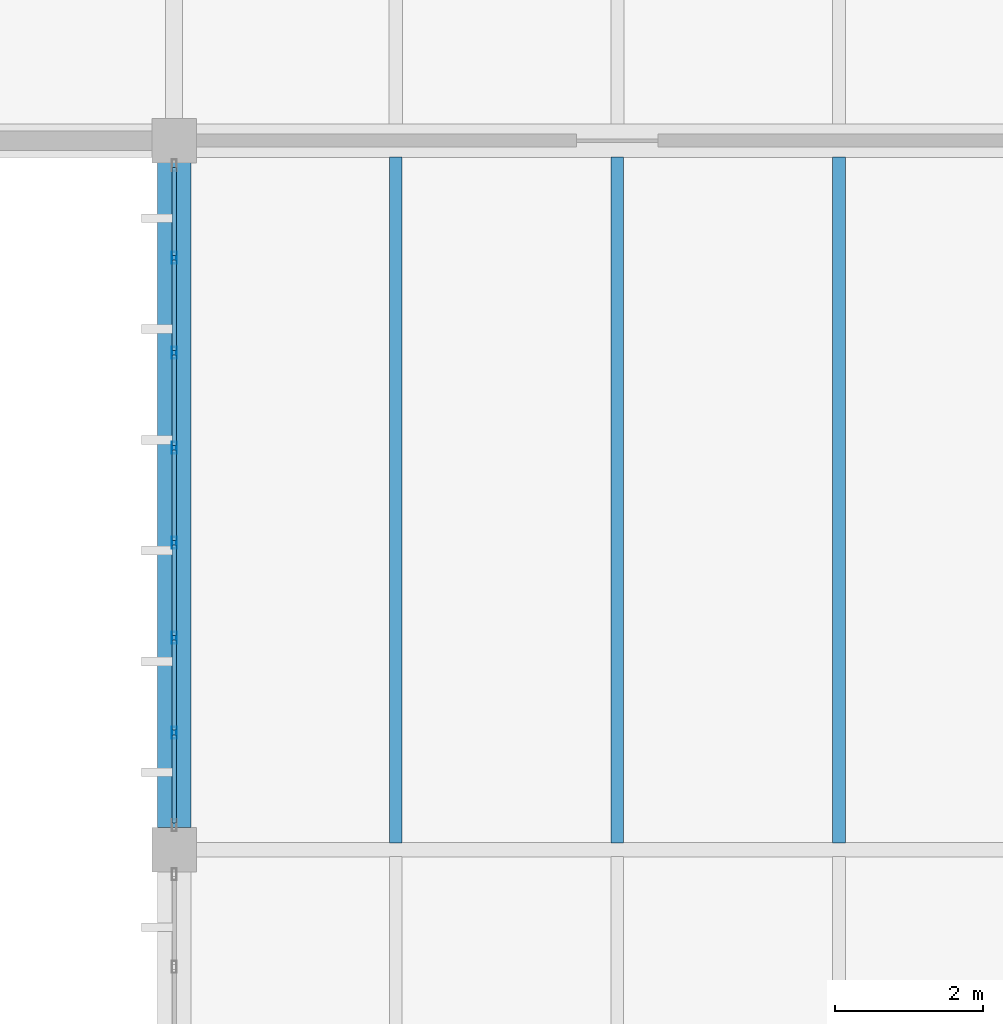
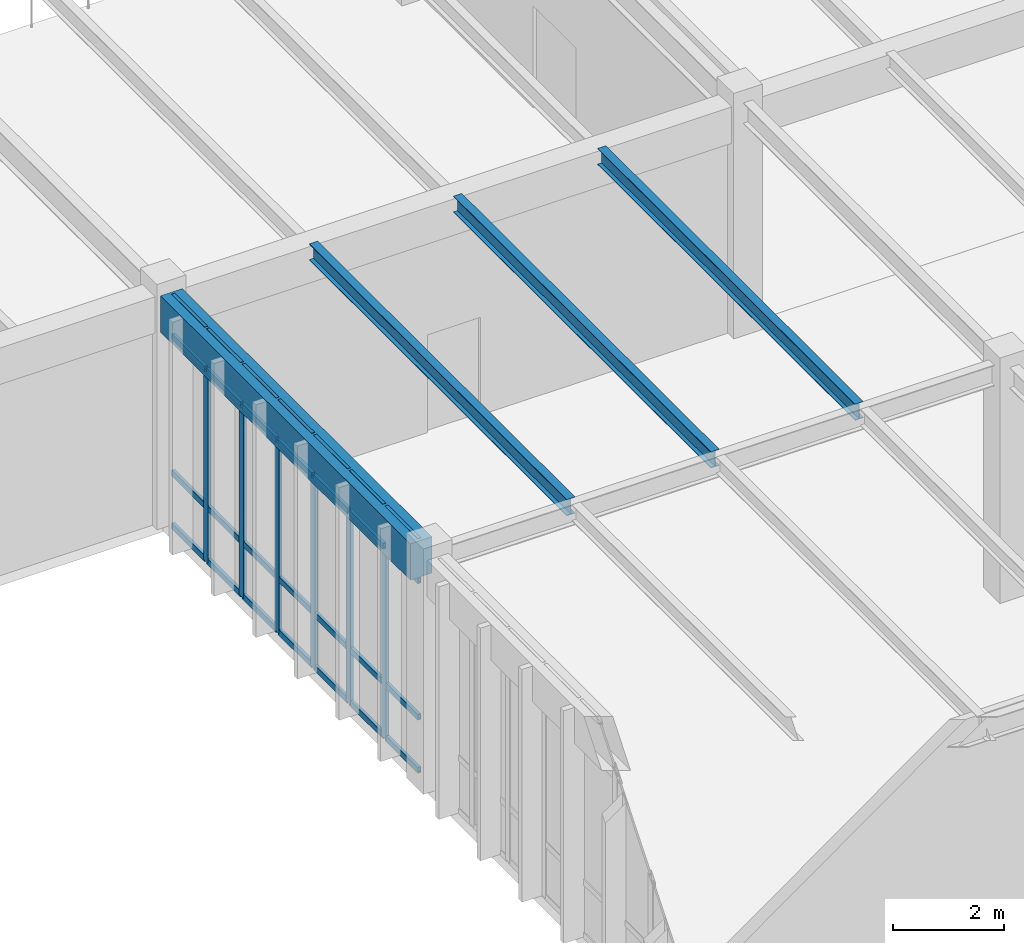
# One storey, part 117 of 188: 34 members, 4 beams, 1 element without a shape of its own.
"""IFC4 building model written with IfcOpenShell, lengths in metres."""

from ifc_helpers import new_model, si_unit, direction, frame, origin, origin_2d, place, context, subcontext, project, spatial, rectangle, hollow_rectangle, i_section, extrude, material, layer, layer_set, material_profile, profile_set, type_object, element, aggregate, save


model = new_model("IFC4")

# Units and contexts
model_context = context("Model", 3, precision=1e-05, world=origin(), true_north=direction((0.0, 1.0)))
body_context = subcontext(model_context, "Body", "Model", "MODEL_VIEW")
ifc_project = project(units=[si_unit("LENGTHUNIT", "METRE"), si_unit("AREAUNIT", "SQUARE_METRE"), si_unit("VOLUMEUNIT", "CUBIC_METRE"), si_unit("PLANEANGLEUNIT", "RADIAN"), si_unit("MASSUNIT", "GRAM", prefix="KILO")], contexts=[model_context])

# Site, building, storey
site_placement = place(None, origin())
site = spatial("IfcSite", under=ifc_project, at=site_placement, CompositionType="ELEMENT")
building_placement = place(site_placement, origin())
building = spatial("IfcBuilding", under=site, at=building_placement, Name="Pandanus Reach Market Hall", CompositionType="ELEMENT")
storey_placement = place(building_placement, origin())
storey = spatial("IfcBuildingStorey", under=building, at=storey_placement, Name="L00", CompositionType="ELEMENT", Elevation=0.0)

# Beam
ifc_material_1 = material(Name="Concrete N40 (40 MPa)", Category="concrete")
ifc_material_profile_1 = material_profile(ifc_material_1, rectangle(XDim=0.449951171875, YDim=0.800048828125, at=origin_2d()), Name="RC450x800", Category="LoadBearing")
ifc_profile_set_1 = profile_set([ifc_material_profile_1], Name="Concrete N40 (40 MPa)")
beam_type_1 = type_object("IfcBeamType", Name="BM-RC450-E", PredefinedType="SPANDREL", material=ifc_profile_set_1)
beam_placement = place(storey_placement, frame((144.0, 86.697998046875, 4.72509765625), z_axis=(0.0, 1.0, 0.0), x_axis=(-1.0, 0.0, 0.0)))
element("IfcBeam", 1, at=beam_placement, inside=storey, type_object=beam_type_1, Name="Framing beam BM-RC450-E L00.197", PredefinedType="SPANDREL", context=body_context, shape_type="SweptSolid", body=[
    extrude(rectangle(XDim=0.449951171875, YDim=0.800048828125, at=origin_2d()), origin(), (0.0, 0.0, 1.0), 9.00390625),
])

# Curtain wall, members
ifc_material_2 = material(Name="Bronze anodised aluminium and low-E glass", Category="aluminium")
ifc_layer = layer(ifc_material_2, 0.159912109375, Name="CW-26")
ifc_layer_set = layer_set([ifc_layer], Name="Bronze anodised aluminium and low-E glass")
curtain_wall_type = type_object("IfcCurtainWallType", Name="CW-26", PredefinedType="NOTDEFINED", material=ifc_layer_set)
curtain_wall_placement = place(storey_placement, origin())
curtain_wall = element("IfcCurtainWall", 2, at=curtain_wall_placement, inside=storey, type_object=curtain_wall_type, Name="Glazed curtain wall CW-26 CW-0081", PredefinedType="NOTDEFINED")
ifc_material_3 = material(Name="Bronze anodised aluminium", Category="aluminium")
ifc_material_profile_2 = material_profile(ifc_material_3, hollow_rectangle(XDim=0.06494140625, YDim=0.159912109375, WallThickness=0.00390625, at=origin_2d()), Name="ALU65x160", Category="LoadBearing")
ifc_profile_set_2 = profile_set([ifc_material_profile_2], Name="Bronze anodised aluminium")
member_type_1 = type_object("IfcMemberType", Name="CW-M1", PredefinedType="MULLION", material=ifc_profile_set_2)
member_1_placement = place(storey_placement, frame((144.0, 87.985595703125, 0.0), z_axis=(0.0, 0.0, 1.0), x_axis=(-1.0, 0.0, 0.0)))
member_1 = element("IfcMember", 3, at=member_1_placement, type_object=member_type_1, Name="CW-26 mullion 2", PredefinedType="MULLION", context=body_context, shape_type="SweptSolid", body=[
    extrude(hollow_rectangle(XDim=0.06494140625, YDim=0.159912109375, WallThickness=0.00390625, at=origin_2d()), origin(), (0.0, 0.0, 1.0), 5.10009765625),
])
member_2_placement = place(storey_placement, frame((144.0, 89.271484375, 0.0), z_axis=(0.0, 0.0, 1.0), x_axis=(-1.0, 0.0, 0.0)))
member_2 = element("IfcMember", 4, at=member_2_placement, type_object=member_type_1, Name="CW-26 mullion 3", PredefinedType="MULLION", context=body_context, shape_type="SweptSolid", body=[
    extrude(hollow_rectangle(XDim=0.06494140625, YDim=0.159912109375, WallThickness=0.00390625, at=origin_2d()), origin(), (0.0, 0.0, 1.0), 5.10009765625),
])
member_3_placement = place(storey_placement, frame((144.0, 90.55712890625, 0.0), z_axis=(0.0, 0.0, 1.0), x_axis=(-1.0, 0.0, 0.0)))
member_3 = element("IfcMember", 5, at=member_3_placement, type_object=member_type_1, Name="CW-26 mullion 4", PredefinedType="MULLION", context=body_context, shape_type="SweptSolid", body=[
    extrude(hollow_rectangle(XDim=0.06494140625, YDim=0.159912109375, WallThickness=0.00390625, at=origin_2d()), origin(), (0.0, 0.0, 1.0), 5.10009765625),
])
member_4_placement = place(storey_placement, frame((144.0, 91.8427734375, 0.0), z_axis=(0.0, 0.0, 1.0), x_axis=(-1.0, 0.0, 0.0)))
member_4 = element("IfcMember", 6, at=member_4_placement, type_object=member_type_1, Name="CW-26 mullion 5", PredefinedType="MULLION", context=body_context, shape_type="SweptSolid", body=[
    extrude(hollow_rectangle(XDim=0.06494140625, YDim=0.159912109375, WallThickness=0.00390625, at=origin_2d()), origin(), (0.0, 0.0, 1.0), 5.10009765625),
])
member_5_placement = place(storey_placement, frame((144.0, 93.128662109375, 0.0), z_axis=(0.0, 0.0, 1.0), x_axis=(-1.0, 0.0, 0.0)))
member_5 = element("IfcMember", 7, at=member_5_placement, type_object=member_type_1, Name="CW-26 mullion 6", PredefinedType="MULLION", context=body_context, shape_type="SweptSolid", body=[
    extrude(hollow_rectangle(XDim=0.06494140625, YDim=0.159912109375, WallThickness=0.00390625, at=origin_2d()), origin(), (0.0, 0.0, 1.0), 5.10009765625),
])
member_6_placement = place(storey_placement, frame((144.0, 94.414306640625, 0.0), z_axis=(0.0, 0.0, 1.0), x_axis=(-1.0, 0.0, 0.0)))
member_6 = element("IfcMember", 8, at=member_6_placement, type_object=member_type_1, Name="CW-26 mullion 7", PredefinedType="MULLION", context=body_context, shape_type="SweptSolid", body=[
    extrude(hollow_rectangle(XDim=0.06494140625, YDim=0.159912109375, WallThickness=0.00390625, at=origin_2d()), origin(), (0.0, 0.0, 1.0), 5.10009765625),
])
ifc_material_profile_3 = material_profile(ifc_material_3, hollow_rectangle(XDim=0.06494140625, YDim=0.1298828125, WallThickness=0.00390625, at=origin_2d()), Name="ALU65x130", Category="LoadBearing")
ifc_profile_set_3 = profile_set([ifc_material_profile_3], Name="Bronze anodised aluminium")
member_type_2 = type_object("IfcMemberType", Name="CW-T1", PredefinedType="USERDEFINED", material=ifc_profile_set_3)
member_7_placement = place(storey_placement, frame((144.0, 86.764892578125, 0.032470703125), z_axis=(0.0, 1.0, 0.0), x_axis=(-1.0, 0.0, 0.0)))
member_7 = element("IfcMember", 9, at=member_7_placement, type_object=member_type_2, Name="CW-26 transom 1.1", ObjectType="TRANSOM", PredefinedType="USERDEFINED", context=body_context, shape_type="SweptSolid", body=[
    extrude(hollow_rectangle(XDim=0.06494140625, YDim=0.1298828125, WallThickness=0.00390625, at=origin_2d()), origin(), (0.0, 0.0, 1.0), 1.188232421875),
])
member_8_placement = place(storey_placement, frame((144.0, 86.764892578125, 1.199951171875), z_axis=(0.0, 1.0, 0.0), x_axis=(-1.0, 0.0, 0.0)))
member_8 = element("IfcMember", 10, at=member_8_placement, type_object=member_type_2, Name="CW-26 transom 1.2", ObjectType="TRANSOM", PredefinedType="USERDEFINED", context=body_context, shape_type="SweptSolid", body=[
    extrude(hollow_rectangle(XDim=0.06494140625, YDim=0.1298828125, WallThickness=0.00390625, at=origin_2d()), origin(), (0.0, 0.0, 1.0), 1.188232421875),
])
member_9_placement = place(storey_placement, frame((144.0, 86.764892578125, 4.199951171875), z_axis=(0.0, 1.0, 0.0), x_axis=(-1.0, 0.0, 0.0)))
member_9 = element("IfcMember", 11, at=member_9_placement, type_object=member_type_2, Name="CW-26 transom 1.3", ObjectType="TRANSOM", PredefinedType="USERDEFINED", context=body_context, shape_type="SweptSolid", body=[
    extrude(hollow_rectangle(XDim=0.06494140625, YDim=0.1298828125, WallThickness=0.00390625, at=origin_2d()), origin(), (0.0, 0.0, 1.0), 1.188232421875),
])
member_10_placement = place(storey_placement, frame((144.0, 86.764892578125, 5.0673828125), z_axis=(0.0, 1.0, 0.0), x_axis=(-1.0, 0.0, 0.0)))
member_10 = element("IfcMember", 12, at=member_10_placement, type_object=member_type_2, Name="CW-26 transom 1.4", ObjectType="TRANSOM", PredefinedType="USERDEFINED", context=body_context, shape_type="SweptSolid", body=[
    extrude(hollow_rectangle(XDim=0.06494140625, YDim=0.1298828125, WallThickness=0.00390625, at=origin_2d()), origin(), (0.0, 0.0, 1.0), 1.188232421875),
])
member_11_placement = place(storey_placement, frame((144.0, 88.018310546875, 0.032470703125), z_axis=(0.0, 1.0, 0.0), x_axis=(-1.0, 0.0, 0.0)))
member_11 = element("IfcMember", 13, at=member_11_placement, type_object=member_type_2, Name="CW-26 transom 2.1", ObjectType="TRANSOM", PredefinedType="USERDEFINED", context=body_context, shape_type="SweptSolid", body=[
    extrude(hollow_rectangle(XDim=0.06494140625, YDim=0.1298828125, WallThickness=0.00390625, at=origin_2d()), origin(), (0.0, 0.0, 1.0), 1.220703125),
])
member_12_placement = place(storey_placement, frame((144.0, 88.018310546875, 1.199951171875), z_axis=(0.0, 1.0, 0.0), x_axis=(-1.0, 0.0, 0.0)))
member_12 = element("IfcMember", 14, at=member_12_placement, type_object=member_type_2, Name="CW-26 transom 2.2", ObjectType="TRANSOM", PredefinedType="USERDEFINED", context=body_context, shape_type="SweptSolid", body=[
    extrude(hollow_rectangle(XDim=0.06494140625, YDim=0.1298828125, WallThickness=0.00390625, at=origin_2d()), origin(), (0.0, 0.0, 1.0), 1.220703125),
])
member_13_placement = place(storey_placement, frame((144.0, 88.018310546875, 4.199951171875), z_axis=(0.0, 1.0, 0.0), x_axis=(-1.0, 0.0, 0.0)))
member_13 = element("IfcMember", 15, at=member_13_placement, type_object=member_type_2, Name="CW-26 transom 2.3", ObjectType="TRANSOM", PredefinedType="USERDEFINED", context=body_context, shape_type="SweptSolid", body=[
    extrude(hollow_rectangle(XDim=0.06494140625, YDim=0.1298828125, WallThickness=0.00390625, at=origin_2d()), origin(), (0.0, 0.0, 1.0), 1.220703125),
])
member_14_placement = place(storey_placement, frame((144.0, 88.018310546875, 5.0673828125), z_axis=(0.0, 1.0, 0.0), x_axis=(-1.0, 0.0, 0.0)))
member_14 = element("IfcMember", 16, at=member_14_placement, type_object=member_type_2, Name="CW-26 transom 2.4", ObjectType="TRANSOM", PredefinedType="USERDEFINED", context=body_context, shape_type="SweptSolid", body=[
    extrude(hollow_rectangle(XDim=0.06494140625, YDim=0.1298828125, WallThickness=0.00390625, at=origin_2d()), origin(), (0.0, 0.0, 1.0), 1.220703125),
])
member_15_placement = place(storey_placement, frame((144.0, 89.303955078125, 0.032470703125), z_axis=(0.0, 1.0, 0.0), x_axis=(-1.0, 0.0, 0.0)))
member_15 = element("IfcMember", 17, at=member_15_placement, type_object=member_type_2, Name="CW-26 transom 3.1", ObjectType="TRANSOM", PredefinedType="USERDEFINED", context=body_context, shape_type="SweptSolid", body=[
    extrude(hollow_rectangle(XDim=0.06494140625, YDim=0.1298828125, WallThickness=0.00390625, at=origin_2d()), origin(), (0.0, 0.0, 1.0), 1.220703125),
])
member_16_placement = place(storey_placement, frame((144.0, 89.303955078125, 1.199951171875), z_axis=(0.0, 1.0, 0.0), x_axis=(-1.0, 0.0, 0.0)))
member_16 = element("IfcMember", 18, at=member_16_placement, type_object=member_type_2, Name="CW-26 transom 3.2", ObjectType="TRANSOM", PredefinedType="USERDEFINED", context=body_context, shape_type="SweptSolid", body=[
    extrude(hollow_rectangle(XDim=0.06494140625, YDim=0.1298828125, WallThickness=0.00390625, at=origin_2d()), origin(), (0.0, 0.0, 1.0), 1.220703125),
])
member_17_placement = place(storey_placement, frame((144.0, 89.303955078125, 4.199951171875), z_axis=(0.0, 1.0, 0.0), x_axis=(-1.0, 0.0, 0.0)))
member_17 = element("IfcMember", 19, at=member_17_placement, type_object=member_type_2, Name="CW-26 transom 3.3", ObjectType="TRANSOM", PredefinedType="USERDEFINED", context=body_context, shape_type="SweptSolid", body=[
    extrude(hollow_rectangle(XDim=0.06494140625, YDim=0.1298828125, WallThickness=0.00390625, at=origin_2d()), origin(), (0.0, 0.0, 1.0), 1.220703125),
])
member_18_placement = place(storey_placement, frame((144.0, 89.303955078125, 5.0673828125), z_axis=(0.0, 1.0, 0.0), x_axis=(-1.0, 0.0, 0.0)))
member_18 = element("IfcMember", 20, at=member_18_placement, type_object=member_type_2, Name="CW-26 transom 3.4", ObjectType="TRANSOM", PredefinedType="USERDEFINED", context=body_context, shape_type="SweptSolid", body=[
    extrude(hollow_rectangle(XDim=0.06494140625, YDim=0.1298828125, WallThickness=0.00390625, at=origin_2d()), origin(), (0.0, 0.0, 1.0), 1.220703125),
])
member_19_placement = place(storey_placement, frame((144.0, 90.589599609375, 0.032470703125), z_axis=(0.0, 1.0, 0.0), x_axis=(-1.0, 0.0, 0.0)))
member_19 = element("IfcMember", 21, at=member_19_placement, type_object=member_type_2, Name="CW-26 transom 4.1", ObjectType="TRANSOM", PredefinedType="USERDEFINED", context=body_context, shape_type="SweptSolid", body=[
    extrude(hollow_rectangle(XDim=0.06494140625, YDim=0.1298828125, WallThickness=0.00390625, at=origin_2d()), origin(), (0.0, 0.0, 1.0), 1.220703125),
])
member_20_placement = place(storey_placement, frame((144.0, 90.589599609375, 1.199951171875), z_axis=(0.0, 1.0, 0.0), x_axis=(-1.0, 0.0, 0.0)))
member_20 = element("IfcMember", 22, at=member_20_placement, type_object=member_type_2, Name="CW-26 transom 4.2", ObjectType="TRANSOM", PredefinedType="USERDEFINED", context=body_context, shape_type="SweptSolid", body=[
    extrude(hollow_rectangle(XDim=0.06494140625, YDim=0.1298828125, WallThickness=0.00390625, at=origin_2d()), origin(), (0.0, 0.0, 1.0), 1.220703125),
])
member_21_placement = place(storey_placement, frame((144.0, 90.589599609375, 4.199951171875), z_axis=(0.0, 1.0, 0.0), x_axis=(-1.0, 0.0, 0.0)))
member_21 = element("IfcMember", 23, at=member_21_placement, type_object=member_type_2, Name="CW-26 transom 4.3", ObjectType="TRANSOM", PredefinedType="USERDEFINED", context=body_context, shape_type="SweptSolid", body=[
    extrude(hollow_rectangle(XDim=0.06494140625, YDim=0.1298828125, WallThickness=0.00390625, at=origin_2d()), origin(), (0.0, 0.0, 1.0), 1.220703125),
])
member_22_placement = place(storey_placement, frame((144.0, 90.589599609375, 5.0673828125), z_axis=(0.0, 1.0, 0.0), x_axis=(-1.0, 0.0, 0.0)))
member_22 = element("IfcMember", 24, at=member_22_placement, type_object=member_type_2, Name="CW-26 transom 4.4", ObjectType="TRANSOM", PredefinedType="USERDEFINED", context=body_context, shape_type="SweptSolid", body=[
    extrude(hollow_rectangle(XDim=0.06494140625, YDim=0.1298828125, WallThickness=0.00390625, at=origin_2d()), origin(), (0.0, 0.0, 1.0), 1.220703125),
])
member_23_placement = place(storey_placement, frame((144.0, 91.875244140625, 0.032470703125), z_axis=(0.0, 1.0, 0.0), x_axis=(-1.0, 0.0, 0.0)))
member_23 = element("IfcMember", 25, at=member_23_placement, type_object=member_type_2, Name="CW-26 transom 5.1", ObjectType="TRANSOM", PredefinedType="USERDEFINED", context=body_context, shape_type="SweptSolid", body=[
    extrude(hollow_rectangle(XDim=0.06494140625, YDim=0.1298828125, WallThickness=0.00390625, at=origin_2d()), origin(), (0.0, 0.0, 1.0), 1.220947265625),
])
member_24_placement = place(storey_placement, frame((144.0, 91.875244140625, 1.199951171875), z_axis=(0.0, 1.0, 0.0), x_axis=(-1.0, 0.0, 0.0)))
member_24 = element("IfcMember", 26, at=member_24_placement, type_object=member_type_2, Name="CW-26 transom 5.2", ObjectType="TRANSOM", PredefinedType="USERDEFINED", context=body_context, shape_type="SweptSolid", body=[
    extrude(hollow_rectangle(XDim=0.06494140625, YDim=0.1298828125, WallThickness=0.00390625, at=origin_2d()), origin(), (0.0, 0.0, 1.0), 1.220947265625),
])
member_25_placement = place(storey_placement, frame((144.0, 91.875244140625, 4.199951171875), z_axis=(0.0, 1.0, 0.0), x_axis=(-1.0, 0.0, 0.0)))
member_25 = element("IfcMember", 27, at=member_25_placement, type_object=member_type_2, Name="CW-26 transom 5.3", ObjectType="TRANSOM", PredefinedType="USERDEFINED", context=body_context, shape_type="SweptSolid", body=[
    extrude(hollow_rectangle(XDim=0.06494140625, YDim=0.1298828125, WallThickness=0.00390625, at=origin_2d()), origin(), (0.0, 0.0, 1.0), 1.220947265625),
])
member_26_placement = place(storey_placement, frame((144.0, 91.875244140625, 5.0673828125), z_axis=(0.0, 1.0, 0.0), x_axis=(-1.0, 0.0, 0.0)))
member_26 = element("IfcMember", 28, at=member_26_placement, type_object=member_type_2, Name="CW-26 transom 5.4", ObjectType="TRANSOM", PredefinedType="USERDEFINED", context=body_context, shape_type="SweptSolid", body=[
    extrude(hollow_rectangle(XDim=0.06494140625, YDim=0.1298828125, WallThickness=0.00390625, at=origin_2d()), origin(), (0.0, 0.0, 1.0), 1.220947265625),
])
member_27_placement = place(storey_placement, frame((144.0, 93.1611328125, 0.032470703125), z_axis=(0.0, 1.0, 0.0), x_axis=(-1.0, 0.0, 0.0)))
member_27 = element("IfcMember", 29, at=member_27_placement, type_object=member_type_2, Name="CW-26 transom 6.1", ObjectType="TRANSOM", PredefinedType="USERDEFINED", context=body_context, shape_type="SweptSolid", body=[
    extrude(hollow_rectangle(XDim=0.06494140625, YDim=0.1298828125, WallThickness=0.00390625, at=origin_2d()), origin(), (0.0, 0.0, 1.0), 1.220703125),
])
member_28_placement = place(storey_placement, frame((144.0, 93.1611328125, 1.199951171875), z_axis=(0.0, 1.0, 0.0), x_axis=(-1.0, 0.0, 0.0)))
member_28 = element("IfcMember", 30, at=member_28_placement, type_object=member_type_2, Name="CW-26 transom 6.2", ObjectType="TRANSOM", PredefinedType="USERDEFINED", context=body_context, shape_type="SweptSolid", body=[
    extrude(hollow_rectangle(XDim=0.06494140625, YDim=0.1298828125, WallThickness=0.00390625, at=origin_2d()), origin(), (0.0, 0.0, 1.0), 1.220703125),
])
member_29_placement = place(storey_placement, frame((144.0, 93.1611328125, 4.199951171875), z_axis=(0.0, 1.0, 0.0), x_axis=(-1.0, 0.0, 0.0)))
member_29 = element("IfcMember", 31, at=member_29_placement, type_object=member_type_2, Name="CW-26 transom 6.3", ObjectType="TRANSOM", PredefinedType="USERDEFINED", context=body_context, shape_type="SweptSolid", body=[
    extrude(hollow_rectangle(XDim=0.06494140625, YDim=0.1298828125, WallThickness=0.00390625, at=origin_2d()), origin(), (0.0, 0.0, 1.0), 1.220703125),
])
member_30_placement = place(storey_placement, frame((144.0, 93.1611328125, 5.0673828125), z_axis=(0.0, 1.0, 0.0), x_axis=(-1.0, 0.0, 0.0)))
member_30 = element("IfcMember", 32, at=member_30_placement, type_object=member_type_2, Name="CW-26 transom 6.4", ObjectType="TRANSOM", PredefinedType="USERDEFINED", context=body_context, shape_type="SweptSolid", body=[
    extrude(hollow_rectangle(XDim=0.06494140625, YDim=0.1298828125, WallThickness=0.00390625, at=origin_2d()), origin(), (0.0, 0.0, 1.0), 1.220703125),
])
member_31_placement = place(storey_placement, frame((144.0, 94.44677734375, 0.032470703125), z_axis=(0.0, 1.0, 0.0), x_axis=(-1.0, 0.0, 0.0)))
member_31 = element("IfcMember", 33, at=member_31_placement, type_object=member_type_2, Name="CW-26 transom 7.1", ObjectType="TRANSOM", PredefinedType="USERDEFINED", context=body_context, shape_type="SweptSolid", body=[
    extrude(hollow_rectangle(XDim=0.06494140625, YDim=0.1298828125, WallThickness=0.00390625, at=origin_2d()), origin(), (0.0, 0.0, 1.0), 1.188232421875),
])
member_32_placement = place(storey_placement, frame((144.0, 94.44677734375, 1.199951171875), z_axis=(0.0, 1.0, 0.0), x_axis=(-1.0, 0.0, 0.0)))
member_32 = element("IfcMember", 34, at=member_32_placement, type_object=member_type_2, Name="CW-26 transom 7.2", ObjectType="TRANSOM", PredefinedType="USERDEFINED", context=body_context, shape_type="SweptSolid", body=[
    extrude(hollow_rectangle(XDim=0.06494140625, YDim=0.1298828125, WallThickness=0.00390625, at=origin_2d()), origin(), (0.0, 0.0, 1.0), 1.188232421875),
])
member_33_placement = place(storey_placement, frame((144.0, 94.44677734375, 4.199951171875), z_axis=(0.0, 1.0, 0.0), x_axis=(-1.0, 0.0, 0.0)))
member_33 = element("IfcMember", 35, at=member_33_placement, type_object=member_type_2, Name="CW-26 transom 7.3", ObjectType="TRANSOM", PredefinedType="USERDEFINED", context=body_context, shape_type="SweptSolid", body=[
    extrude(hollow_rectangle(XDim=0.06494140625, YDim=0.1298828125, WallThickness=0.00390625, at=origin_2d()), origin(), (0.0, 0.0, 1.0), 1.188232421875),
])
member_34_placement = place(storey_placement, frame((144.0, 94.44677734375, 5.0673828125), z_axis=(0.0, 1.0, 0.0), x_axis=(-1.0, 0.0, 0.0)))
member_34 = element("IfcMember", 36, at=member_34_placement, type_object=member_type_2, Name="CW-26 transom 7.4", ObjectType="TRANSOM", PredefinedType="USERDEFINED", context=body_context, shape_type="SweptSolid", body=[
    extrude(hollow_rectangle(XDim=0.06494140625, YDim=0.1298828125, WallThickness=0.00390625, at=origin_2d()), origin(), (0.0, 0.0, 1.0), 1.188232421875),
])
aggregate(curtain_wall, [member_1, member_2, member_3, member_4, member_5, member_6, member_7, member_8, member_9, member_10, member_11, member_12, member_13, member_14, member_15, member_16, member_17, member_18, member_19, member_20, member_21, member_22, member_23, member_24, member_25, member_26, member_27, member_28, member_29, member_30, member_31, member_32, member_33, member_34])

# Beams
ifc_material_4 = material(Name="Steel Grade 350 (350 MPa)", Category="steel")
ifc_material_profile_4 = material_profile(ifc_material_4, i_section(OverallWidth=0.172119140625, OverallDepth=0.35888671875, WebThickness=0.008056640625, FlangeThickness=0.012939453125, at=origin_2d()), Name="360UB56.7", Category="LoadBearing")
ifc_profile_set_4 = profile_set([ifc_material_profile_4], Name="Steel Grade 350 (350 MPa)")
beam_type_2 = type_object("IfcBeamType", Name="JS-UB360H-I", PredefinedType="JOIST", material=ifc_profile_set_4)
for number, where, z_axis, x_axis, name in (
    (37, (147.0, 86.493408203125, 4.945068359375), (0.0, 1.0, 0.0), (-1.0, 0.0, 0.0), "Secondary joist JS-UB360H-I L00.252"),
    (38, (150.0, 86.493408203125, 4.945068359375), (0.0, 1.0, 0.0), (-1.0, 0.0, 0.0), "Secondary joist JS-UB360H-I L00.253"),
    (39, (153.0, 86.493408203125, 4.945068359375), (0.0, 1.0, 0.0), (-1.0, 0.0, 0.0), "Secondary joist JS-UB360H-I L00.254"),
):
    element("IfcBeam", number, at=place(storey_placement, frame(where, z_axis=z_axis, x_axis=x_axis)), inside=storey, type_object=beam_type_2, Name=name, PredefinedType="JOIST", context=body_context, shape_type="SweptSolid", body=[
        extrude(i_section(OverallWidth=0.172119140625, OverallDepth=0.35888671875, WebThickness=0.008056640625, FlangeThickness=0.012939453125, at=origin_2d()), origin(), (0.0, 0.0, 1.0), 9.28369140625),
    ])

save(model, "model.ifc")
